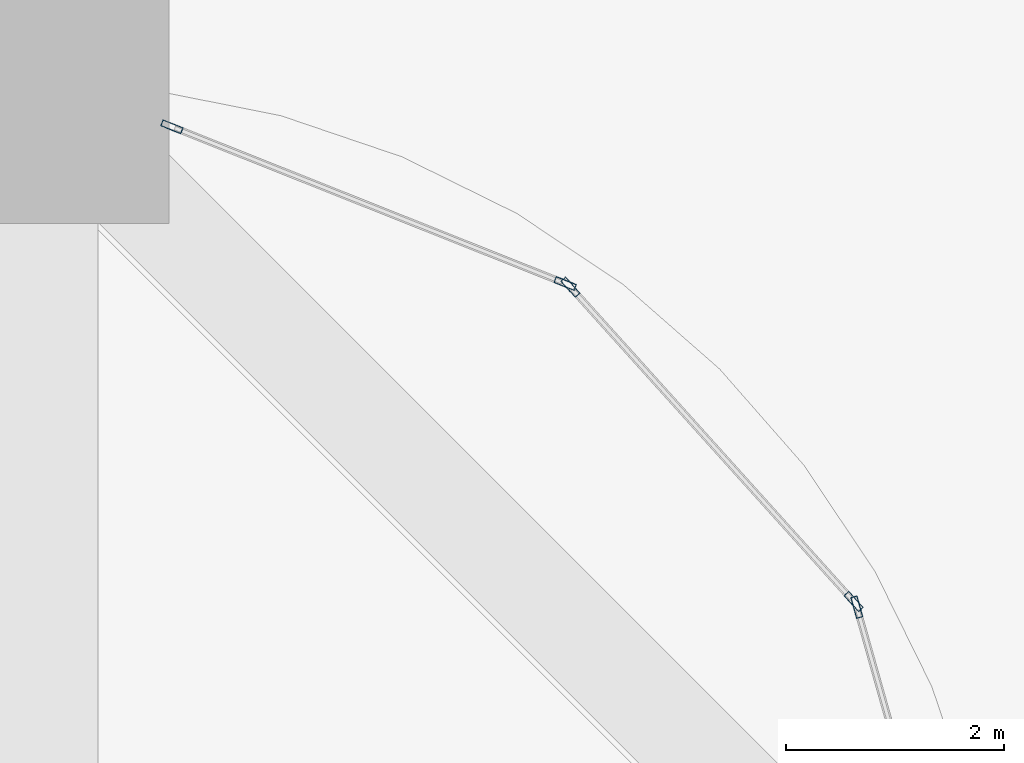
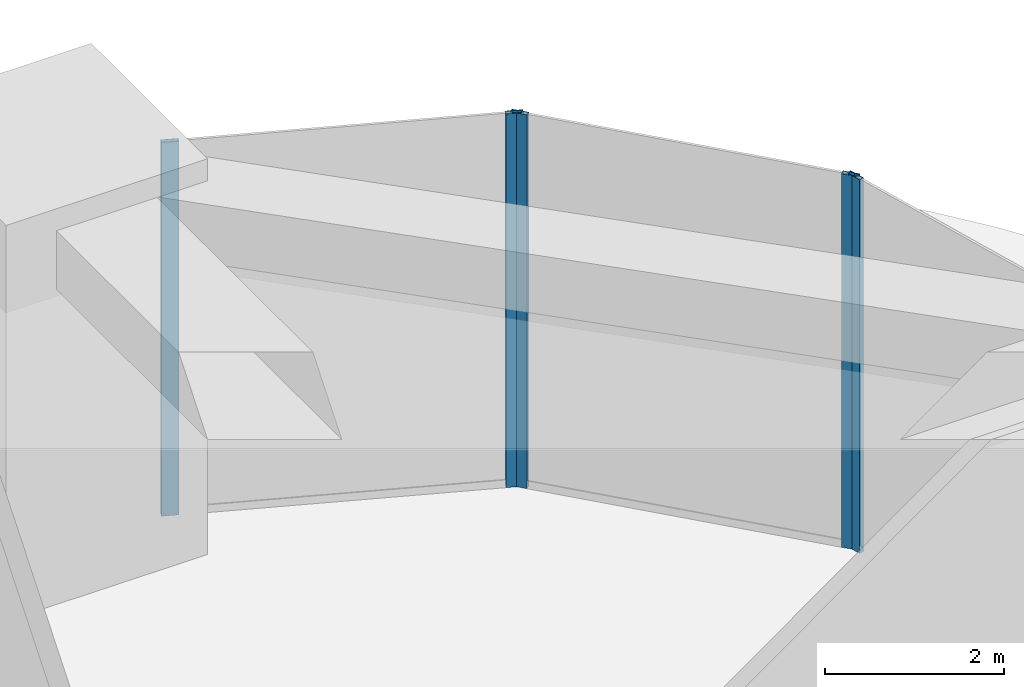
# One storey, part 38 of 56: 5 members, 3 elements without a shape of their own.
"""IFC4 building model written with IfcOpenShell, lengths in metres."""

from ifc_helpers import new_model, si_unit, direction, frame, origin, origin_2d, place, context, subcontext, project, spatial, hollow_rectangle, extrude, material, material_profile, profile_set, type_object, element, aggregate, save


model = new_model("IFC4")

# Units and contexts
model_context = context("Model", 3, precision=1e-05, world=origin(), true_north=direction((0.0, 1.0)))
body_context = subcontext(model_context, "Body", "Model", "MODEL_VIEW")
ifc_project = project(units=[si_unit("LENGTHUNIT", "METRE"), si_unit("AREAUNIT", "SQUARE_METRE"), si_unit("VOLUMEUNIT", "CUBIC_METRE"), si_unit("PLANEANGLEUNIT", "RADIAN"), si_unit("MASSUNIT", "GRAM", prefix="KILO")], contexts=[model_context])

# Site, building, storey
site_placement = place(None, origin())
site = spatial("IfcSite", under=ifc_project, at=site_placement, CompositionType="ELEMENT")
building_placement = place(site_placement, origin())
building = spatial("IfcBuilding", under=site, at=building_placement, Name="Zorevar Civic Tower", CompositionType="ELEMENT")
storey_placement = place(building_placement, origin())
storey = spatial("IfcBuildingStorey", under=building, at=storey_placement, Name="L00", CompositionType="ELEMENT", Elevation=0.0)

# Curtain wall, member
ifc_material_1 = material(Name="Dark grey solar-control glass in black aluminium frame", Category="aluminium")
curtain_wall_type = type_object("IfcCurtainWallType", Name="Curtain wall CW1 podium", PredefinedType="NOTDEFINED", material=ifc_material_1)
curtain_wall_1_placement = place(storey_placement, origin())
curtain_wall_1 = element("IfcCurtainWall", 1, at=curtain_wall_1_placement, inside=storey, type_object=curtain_wall_type, Name="CW1 L00", PredefinedType="NOTDEFINED")
ifc_material_2 = material(Name="Aluminium, black anodised", Category="aluminium")
ifc_material_profile = material_profile(ifc_material_2, hollow_rectangle(XDim=0.06005859375, YDim=0.199951171875, WallThickness=0.00390625, at=origin_2d()), Name="AL 200x60x4")
ifc_profile_set = profile_set([ifc_material_profile], Name="Aluminium, black anodised")
member_type = type_object("IfcMemberType", Name="CW1 mullion AL 200x60x4", PredefinedType="MULLION", material=ifc_profile_set)
member_1_placement = place(storey_placement, frame((70.625244140625, 49.174560546875, 0.0), z_axis=(0.0, 0.0, 1.0), x_axis=(-0.962390725943, -0.271669082929, 0.0)))
member_1 = element("IfcMember", 2, at=member_1_placement, type_object=member_type, Name="CW1 mullion 2", PredefinedType="MULLION", context=body_context, shape_type="SweptSolid", body=[
    extrude(hollow_rectangle(XDim=0.06005859375, YDim=0.199951171875, WallThickness=0.00390625, at=origin_2d()), origin(), (0.0, 0.0, 1.0), 5.10009765625),
])
aggregate(curtain_wall_1, [member_1])

# Curtain wall, members
curtain_wall_2_placement = place(storey_placement, origin())
curtain_wall_2 = element("IfcCurtainWall", 3, at=curtain_wall_2_placement, inside=storey, type_object=curtain_wall_type, Name="CW1 L00", PredefinedType="NOTDEFINED")
member_2_placement = place(storey_placement, frame((70.596923828125, 49.225830078125, 0.0), z_axis=(0.0, 0.0, 1.0), x_axis=(-0.742899688263, -0.669402758568, 0.0)))
member_2 = element("IfcMember", 4, at=member_2_placement, type_object=member_type, Name="CW1 mullion 1", PredefinedType="MULLION", context=body_context, shape_type="SweptSolid", body=[
    extrude(hollow_rectangle(XDim=0.06005859375, YDim=0.199951171875, WallThickness=0.00390625, at=origin_2d()), origin(), (0.0, 0.0, 1.0), 5.10009765625),
])
member_3_placement = place(storey_placement, frame((67.991455078125, 52.1171875, 0.0), z_axis=(0.0, 0.0, 1.0), x_axis=(-0.742899688263, -0.669402758568, 0.0)))
member_3 = element("IfcMember", 5, at=member_3_placement, type_object=member_type, Name="CW1 mullion 2", PredefinedType="MULLION", context=body_context, shape_type="SweptSolid", body=[
    extrude(hollow_rectangle(XDim=0.06005859375, YDim=0.199951171875, WallThickness=0.00390625, at=origin_2d()), origin(), (0.0, 0.0, 1.0), 5.10009765625),
])
aggregate(curtain_wall_2, [member_2, member_3])

curtain_wall_3_placement = place(storey_placement, origin())
curtain_wall_3 = element("IfcCurtainWall", 6, at=curtain_wall_3_placement, inside=storey, type_object=curtain_wall_type, Name="CW1 L00", PredefinedType="NOTDEFINED")
member_4_placement = place(storey_placement, frame((67.943603515625, 52.150634765625, 0.0), z_axis=(0.0, 0.0, 1.0), x_axis=(-0.370110964218, -0.928987553289, 0.0)))
member_4 = element("IfcMember", 7, at=member_4_placement, type_object=member_type, Name="CW1 mullion 1", PredefinedType="MULLION", context=body_context, shape_type="SweptSolid", body=[
    extrude(hollow_rectangle(XDim=0.06005859375, YDim=0.199951171875, WallThickness=0.00390625, at=origin_2d()), origin(), (0.0, 0.0, 1.0), 5.10009765625),
])
member_5_placement = place(storey_placement, frame((64.327880859375, 53.591064453125, 0.0), z_axis=(0.0, 0.0, 1.0), x_axis=(-0.370110964218, -0.928987553289, 0.0)))
member_5 = element("IfcMember", 8, at=member_5_placement, type_object=member_type, Name="CW1 mullion 2", PredefinedType="MULLION", context=body_context, shape_type="SweptSolid", body=[
    extrude(hollow_rectangle(XDim=0.06005859375, YDim=0.199951171875, WallThickness=0.00390625, at=origin_2d()), origin(), (0.0, 0.0, 1.0), 5.10009765625),
])
aggregate(curtain_wall_3, [member_4, member_5])

save(model, "model.ifc")
